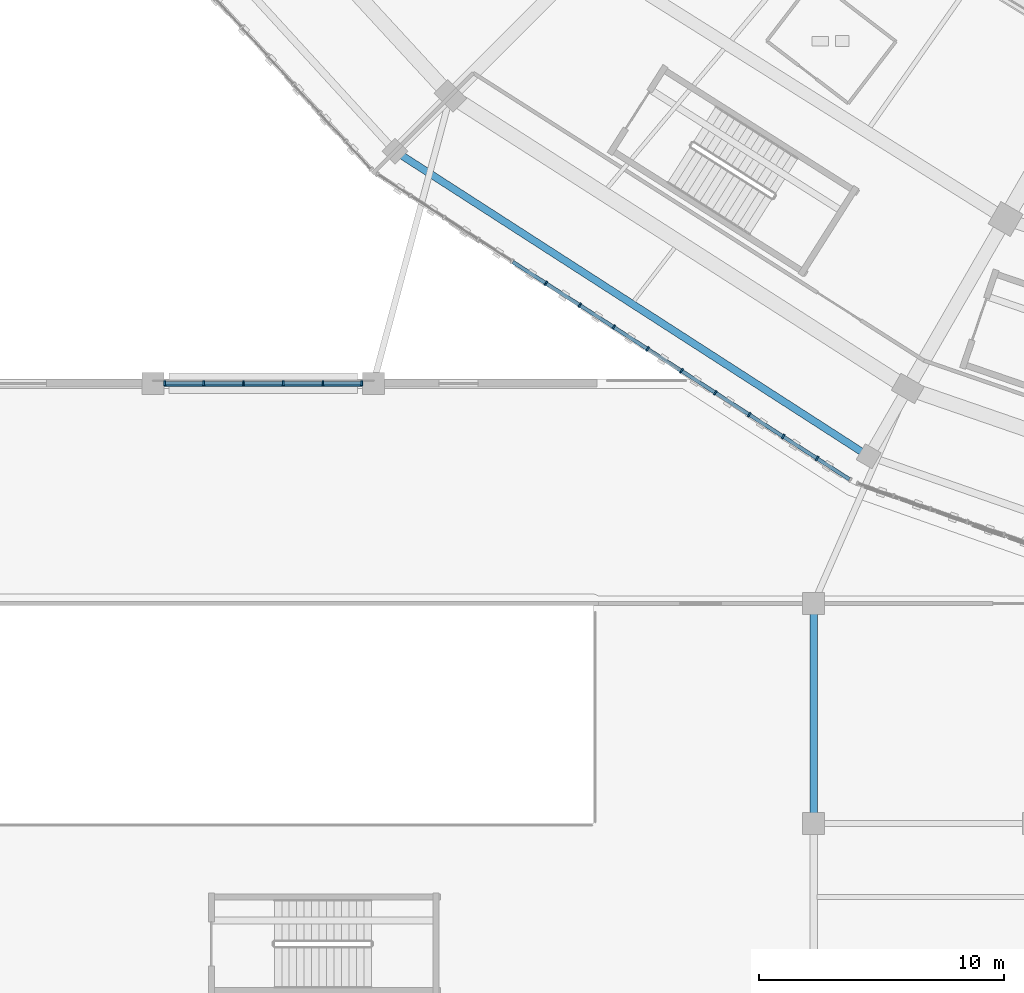
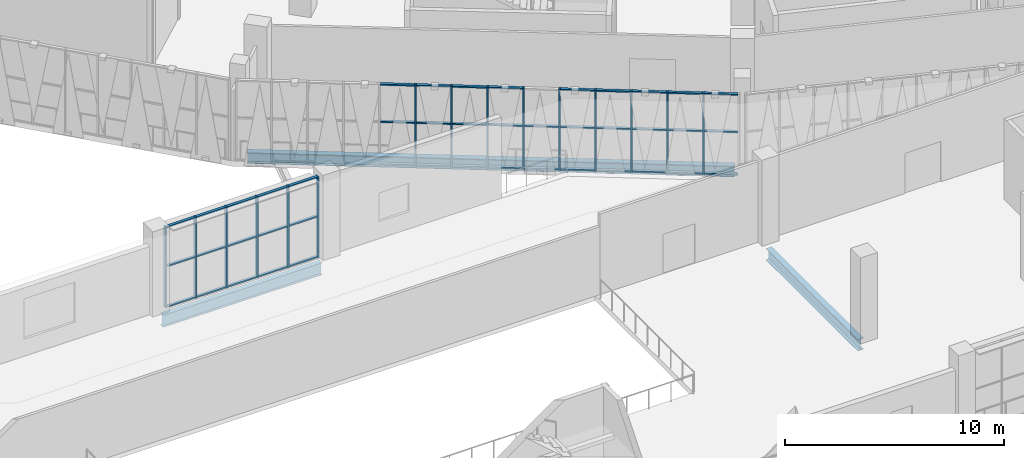
# One storey, part 6 of 183: 59 members, 3 beams, 2 elements without a shape of their own.
"""IFC4 building model written with IfcOpenShell, lengths in metres."""

from ifc_helpers import new_model, si_unit, direction, frame, origin, origin_2d, place, context, subcontext, project, spatial, rectangle, i_section, extrude, material, material_profile, profile_set, type_object, element, aggregate, save


model = new_model("IFC4")

# Units and contexts
model_context = context("Model", 3, precision=1e-05, world=origin(), true_north=direction((0.0, 1.0)))
body_context = subcontext(model_context, "Body", "Model", "MODEL_VIEW")
ifc_project = project(units=[si_unit("LENGTHUNIT", "METRE"), si_unit("AREAUNIT", "SQUARE_METRE"), si_unit("VOLUMEUNIT", "CUBIC_METRE"), si_unit("PLANEANGLEUNIT", "RADIAN"), si_unit("MASSUNIT", "GRAM", prefix="KILO")], contexts=[model_context])

# Site, building, storey
site_placement = place(None, origin())
site = spatial("IfcSite", under=ifc_project, at=site_placement, CompositionType="ELEMENT")
building_placement = place(site_placement, origin())
building = spatial("IfcBuilding", under=site, at=building_placement, Name="Zevraka Park Crest Stadium", CompositionType="ELEMENT")
storey_placement = place(building_placement, frame((0.0, 0.0, 5.39990234375)))
storey = spatial("IfcBuildingStorey", under=building, at=storey_placement, Name="L01", CompositionType="ELEMENT", Elevation=5.39990234375)

# Beams
ifc_material_1 = material(Name="Steel S355", Category="steel")
ifc_material_profile_1 = material_profile(ifc_material_1, i_section(OverallWidth=0.253662109375, OverallDepth=0.68359375, WebThickness=0.012451171875, FlangeThickness=0.01904296875, at=origin_2d()), Name="UKB 686x254x140")
ifc_profile_set_1 = profile_set([ifc_material_profile_1], Name="Steel S355")
beam_type_1 = type_object("IfcBeamType", Name="BG05", PredefinedType="BEAM", material=ifc_profile_set_1)
beam_1_placement = place(storey_placement, frame((36.300048828125, 27.0, -0.649658203125), z_axis=(1.0, 0.0, 0.0), x_axis=(0.0, 1.0, 0.0)))
element("IfcBeam", 1, at=beam_1_placement, inside=storey, type_object=beam_type_1, Name="Wing Girder BG05 L01-56/D", PredefinedType="BEAM", context=body_context, shape_type="SweptSolid", body=[
    extrude(i_section(OverallWidth=0.253662109375, OverallDepth=0.68359375, WebThickness=0.012451171875, FlangeThickness=0.01904296875, at=origin_2d()), origin(), (0.0, 0.0, 1.0), 8.39990234375),
])
ifc_material_2 = material(Name="Steel S355", Category="steel")
ifc_material_profile_2 = material_profile(ifc_material_2, i_section(OverallWidth=0.300048828125, OverallDepth=0.64990234375, WebThickness=0.01611328125, FlangeThickness=0.031005859375, at=origin_2d()), Name="HEB 650")
ifc_profile_set_2 = profile_set([ifc_material_profile_2], Name="Steel S355")
beam_type_2 = type_object("IfcBeamType", Name="BG07", PredefinedType="BEAM", material=ifc_profile_set_2)
beam_2_placement = place(storey_placement, frame((63.0, 9.300048828125, -0.6328125), z_axis=(0.0, 1.0, 0.0), x_axis=(-1.0, 0.0, 0.0)))
element("IfcBeam", 2, at=beam_2_placement, inside=storey, type_object=beam_type_2, Name="Wing Girder BG07 L01-8/BC", PredefinedType="BEAM", context=body_context, shape_type="SweptSolid", body=[
    extrude(i_section(OverallWidth=0.300048828125, OverallDepth=0.64990234375, WebThickness=0.01611328125, FlangeThickness=0.031005859375, at=origin_2d()), origin(), (0.0, 0.0, 1.0), 8.39990234375),
])

# Curtain wall, members
ifc_material_3 = material(Name="Anodised architectural aluminium and laminated safety glass", Category="aluminium")
curtain_wall_type_1 = type_object("IfcCurtainWallType", Name="CW03", PredefinedType="NOTDEFINED", material=ifc_material_3)
curtain_wall_1_placement = place(storey_placement, origin())
curtain_wall_1 = element("IfcCurtainWall", 3, at=curtain_wall_1_placement, inside=storey, type_object=curtain_wall_type_1, Name="Unitised Ring Curtain Wall CW03 L01-15", PredefinedType="NOTDEFINED")
ifc_material_4 = material(Name="Anodised architectural aluminium", Category="aluminium")
ifc_material_profile_3 = material_profile(ifc_material_4, rectangle(XDim=0.199951171875, YDim=0.070068359375, at=origin_2d()), Name="ALU MULLION 200x70")
ifc_profile_set_3 = profile_set([ifc_material_profile_3], Name="Anodised architectural aluminium")
member_type_1 = type_object("IfcMemberType", Name="CM03", PredefinedType="MULLION", material=ifc_profile_set_3)
member_1_placement = place(storey_placement, frame((52.05517578125, 31.089111328125, 0.0), z_axis=(0.0, 0.0, 1.0), x_axis=(0.542570628938, 0.840010186018, 0.0)))
member_1 = element("IfcMember", 4, at=member_1_placement, type_object=member_type_1, Name="CW03 mullion 6", PredefinedType="MULLION", context=body_context, shape_type="SweptSolid", body=[
    extrude(rectangle(XDim=0.199951171875, YDim=0.070068359375, at=origin_2d()), origin(), (0.0, 0.0, 1.0), 4.52001953125),
])
member_2_placement = place(storey_placement, frame((53.44091796875, 30.194091796875, 0.0), z_axis=(0.0, 0.0, 1.0), x_axis=(0.542570628938, 0.840010186018, 0.0)))
member_2 = element("IfcMember", 5, at=member_2_placement, type_object=member_type_1, Name="CW03 mullion 7", PredefinedType="MULLION", context=body_context, shape_type="SweptSolid", body=[
    extrude(rectangle(XDim=0.199951171875, YDim=0.070068359375, at=origin_2d()), origin(), (0.0, 0.0, 1.0), 4.52001953125),
])
member_3_placement = place(storey_placement, frame((54.826416015625, 29.299072265625, 0.0), z_axis=(0.0, 0.0, 1.0), x_axis=(0.542570628938, 0.840010186018, 0.0)))
member_3 = element("IfcMember", 6, at=member_3_placement, type_object=member_type_1, Name="CW03 mullion 8", PredefinedType="MULLION", context=body_context, shape_type="SweptSolid", body=[
    extrude(rectangle(XDim=0.199951171875, YDim=0.070068359375, at=origin_2d()), origin(), (0.0, 0.0, 1.0), 4.52001953125),
])
member_4_placement = place(storey_placement, frame((56.212158203125, 28.404052734375, 0.0), z_axis=(0.0, 0.0, 1.0), x_axis=(0.542570628938, 0.840010186018, 0.0)))
member_4 = element("IfcMember", 7, at=member_4_placement, type_object=member_type_1, Name="CW03 mullion 9", PredefinedType="MULLION", context=body_context, shape_type="SweptSolid", body=[
    extrude(rectangle(XDim=0.199951171875, YDim=0.070068359375, at=origin_2d()), origin(), (0.0, 0.0, 1.0), 4.52001953125),
])
member_5_placement = place(storey_placement, frame((57.597900390625, 27.509033203125, 0.0), z_axis=(0.0, 0.0, 1.0), x_axis=(0.542570628938, 0.840010186018, 0.0)))
member_5 = element("IfcMember", 8, at=member_5_placement, type_object=member_type_1, Name="CW03 mullion 10", PredefinedType="MULLION", context=body_context, shape_type="SweptSolid", body=[
    extrude(rectangle(XDim=0.199951171875, YDim=0.070068359375, at=origin_2d()), origin(), (0.0, 0.0, 1.0), 4.52001953125),
])
member_6_placement = place(storey_placement, frame((58.9833984375, 26.614013671875, 0.0), z_axis=(0.0, 0.0, 1.0), x_axis=(0.542570628938, 0.840010186018, 0.0)))
member_6 = element("IfcMember", 9, at=member_6_placement, type_object=member_type_1, Name="CW03 mullion 11", PredefinedType="MULLION", context=body_context, shape_type="SweptSolid", body=[
    extrude(rectangle(XDim=0.199951171875, YDim=0.070068359375, at=origin_2d()), origin(), (0.0, 0.0, 1.0), 4.52001953125),
])
member_7_placement = place(storey_placement, frame((60.369140625, 25.718994140625, 0.0), z_axis=(0.0, 0.0, 1.0), x_axis=(0.542570628938, 0.840010186018, 0.0)))
member_7 = element("IfcMember", 10, at=member_7_placement, type_object=member_type_1, Name="CW03 mullion 12", PredefinedType="MULLION", context=body_context, shape_type="SweptSolid", body=[
    extrude(rectangle(XDim=0.199951171875, YDim=0.070068359375, at=origin_2d()), origin(), (0.0, 0.0, 1.0), 4.52001953125),
])
member_8_placement = place(storey_placement, frame((61.754638671875, 24.823974609375, 0.0), z_axis=(0.0, 0.0, 1.0), x_axis=(0.542570628938, 0.840010186018, 0.0)))
member_8 = element("IfcMember", 11, at=member_8_placement, type_object=member_type_1, Name="CW03 mullion 13", PredefinedType="MULLION", context=body_context, shape_type="SweptSolid", body=[
    extrude(rectangle(XDim=0.199951171875, YDim=0.070068359375, at=origin_2d()), origin(), (0.0, 0.0, 1.0), 4.52001953125),
])
member_9_placement = place(storey_placement, frame((63.140380859375, 23.928955078125, 0.0), z_axis=(0.0, 0.0, 1.0), x_axis=(0.542570628938, 0.840010186018, 0.0)))
member_9 = element("IfcMember", 12, at=member_9_placement, type_object=member_type_1, Name="CW03 mullion 14", PredefinedType="MULLION", context=body_context, shape_type="SweptSolid", body=[
    extrude(rectangle(XDim=0.199951171875, YDim=0.070068359375, at=origin_2d()), origin(), (0.0, 0.0, 1.0), 4.52001953125),
])

ifc_material_5 = material(Name="Anodised architectural aluminium and laminated safety glass", Category="aluminium")
curtain_wall_type_2 = type_object("IfcCurtainWallType", Name="CW30", PredefinedType="NOTDEFINED", material=ifc_material_5)
curtain_wall_2_placement = place(storey_placement, origin())
curtain_wall_2 = element("IfcCurtainWall", 13, at=curtain_wall_2_placement, inside=storey, type_object=curtain_wall_type_2, Name="Wing Curtain Wall CW30 L01-SW-N-4", PredefinedType="NOTDEFINED")
member_10_placement = place(storey_placement, frame((36.47509765625, 27.0, 0.0), z_axis=(0.0, 0.0, 1.0), x_axis=(0.0, 1.0, 0.0)))
member_10 = element("IfcMember", 14, at=member_10_placement, type_object=member_type_1, Name="CW30 mullion 1", PredefinedType="MULLION", context=body_context, shape_type="SweptSolid", body=[
    extrude(rectangle(XDim=0.199951171875, YDim=0.070068359375, at=origin_2d()), origin(), (0.0, 0.0, 1.0), 4.52001953125),
])
member_11_placement = place(storey_placement, frame((38.06396484375, 27.0, 0.0), z_axis=(0.0, 0.0, 1.0), x_axis=(0.0, 1.0, 0.0)))
member_11 = element("IfcMember", 15, at=member_11_placement, type_object=member_type_1, Name="CW30 mullion 2", PredefinedType="MULLION", context=body_context, shape_type="SweptSolid", body=[
    extrude(rectangle(XDim=0.199951171875, YDim=0.070068359375, at=origin_2d()), origin(), (0.0, 0.0, 1.0), 4.52001953125),
])
member_12_placement = place(storey_placement, frame((39.68798828125, 27.0, 0.0), z_axis=(0.0, 0.0, 1.0), x_axis=(0.0, 1.0, 0.0)))
member_12 = element("IfcMember", 16, at=member_12_placement, type_object=member_type_1, Name="CW30 mullion 3", PredefinedType="MULLION", context=body_context, shape_type="SweptSolid", body=[
    extrude(rectangle(XDim=0.199951171875, YDim=0.070068359375, at=origin_2d()), origin(), (0.0, 0.0, 1.0), 4.52001953125),
])
member_13_placement = place(storey_placement, frame((41.31201171875, 27.0, 0.0), z_axis=(0.0, 0.0, 1.0), x_axis=(0.0, 1.0, 0.0)))
member_13 = element("IfcMember", 17, at=member_13_placement, type_object=member_type_1, Name="CW30 mullion 4", PredefinedType="MULLION", context=body_context, shape_type="SweptSolid", body=[
    extrude(rectangle(XDim=0.199951171875, YDim=0.070068359375, at=origin_2d()), origin(), (0.0, 0.0, 1.0), 4.52001953125),
])
member_14_placement = place(storey_placement, frame((42.93603515625, 27.0, 0.0), z_axis=(0.0, 0.0, 1.0), x_axis=(0.0, 1.0, 0.0)))
member_14 = element("IfcMember", 18, at=member_14_placement, type_object=member_type_1, Name="CW30 mullion 5", PredefinedType="MULLION", context=body_context, shape_type="SweptSolid", body=[
    extrude(rectangle(XDim=0.199951171875, YDim=0.070068359375, at=origin_2d()), origin(), (0.0, 0.0, 1.0), 4.52001953125),
])
member_15_placement = place(storey_placement, frame((44.52490234375, 27.0, 0.0), z_axis=(0.0, 0.0, 1.0), x_axis=(0.0, 1.0, 0.0)))
member_15 = element("IfcMember", 19, at=member_15_placement, type_object=member_type_1, Name="CW30 mullion 6", PredefinedType="MULLION", context=body_context, shape_type="SweptSolid", body=[
    extrude(rectangle(XDim=0.199951171875, YDim=0.070068359375, at=origin_2d()), origin(), (0.0, 0.0, 1.0), 4.52001953125),
])

# Member
ifc_material_6 = material(Name="Anodised architectural aluminium", Category="aluminium")
ifc_material_profile_4 = material_profile(ifc_material_6, rectangle(XDim=0.14990234375, YDim=0.070068359375, at=origin_2d()), Name="ALU TRANSOM 150x70")
ifc_profile_set_4 = profile_set([ifc_material_profile_4], Name="Anodised architectural aluminium")
member_type_2 = type_object("IfcMemberType", Name="CT03", PredefinedType="USERDEFINED", material=ifc_profile_set_4)
member_16_placement = place(storey_placement, frame((50.698974609375, 31.965087890625, 0.03515625), z_axis=(0.839976274256, -0.542623127675, 0.0), x_axis=(0.542623127675, 0.839976274256, 0.0)))
member_16 = element("IfcMember", 20, at=member_16_placement, type_object=member_type_2, Name="CW03 transom 5.1", ObjectType="TRANSOM", PredefinedType="USERDEFINED", context=body_context, shape_type="SweptSolid", body=[
    extrude(rectangle(XDim=0.14990234375, YDim=0.070068359375, at=origin_2d()), origin(), (0.0, 0.0, 1.0), 1.57958984375),
])

member_17_placement = place(storey_placement, frame((50.698974609375, 31.965087890625, 2.400146484375), z_axis=(0.839976274256, -0.542623127675, 0.0), x_axis=(0.542623127675, 0.839976274256, 0.0)))
member_17 = element("IfcMember", 21, at=member_17_placement, type_object=member_type_2, Name="CW03 transom 5.2", ObjectType="TRANSOM", PredefinedType="USERDEFINED", context=body_context, shape_type="SweptSolid", body=[
    extrude(rectangle(XDim=0.14990234375, YDim=0.070068359375, at=origin_2d()), origin(), (0.0, 0.0, 1.0), 1.57958984375),
])

member_18_placement = place(storey_placement, frame((50.698974609375, 31.965087890625, 4.485107421875), z_axis=(0.839976274256, -0.542623127675, 0.0), x_axis=(0.542623127675, 0.839976274256, 0.0)))
member_18 = element("IfcMember", 22, at=member_18_placement, type_object=member_type_2, Name="CW03 transom 5.3", ObjectType="TRANSOM", PredefinedType="USERDEFINED", context=body_context, shape_type="SweptSolid", body=[
    extrude(rectangle(XDim=0.14990234375, YDim=0.070068359375, at=origin_2d()), origin(), (0.0, 0.0, 1.0), 1.57958984375),
])

member_19_placement = place(storey_placement, frame((52.084716796875, 31.070068359375, 0.03515625), z_axis=(0.839930759874, -0.542693577092, 0.0), x_axis=(0.542693577092, 0.839930759874, 0.0)))
member_19 = element("IfcMember", 23, at=member_19_placement, type_object=member_type_2, Name="CW03 transom 6.1", ObjectType="TRANSOM", PredefinedType="USERDEFINED", context=body_context, shape_type="SweptSolid", body=[
    extrude(rectangle(XDim=0.14990234375, YDim=0.070068359375, at=origin_2d()), origin(), (0.0, 0.0, 1.0), 1.57958984375),
])

member_20_placement = place(storey_placement, frame((52.084716796875, 31.070068359375, 2.400146484375), z_axis=(0.839930759874, -0.542693577092, 0.0), x_axis=(0.542693577092, 0.839930759874, 0.0)))
member_20 = element("IfcMember", 24, at=member_20_placement, type_object=member_type_2, Name="CW03 transom 6.2", ObjectType="TRANSOM", PredefinedType="USERDEFINED", context=body_context, shape_type="SweptSolid", body=[
    extrude(rectangle(XDim=0.14990234375, YDim=0.070068359375, at=origin_2d()), origin(), (0.0, 0.0, 1.0), 1.57958984375),
])

member_21_placement = place(storey_placement, frame((52.084716796875, 31.070068359375, 4.485107421875), z_axis=(0.839930759874, -0.542693577092, 0.0), x_axis=(0.542693577092, 0.839930759874, 0.0)))
member_21 = element("IfcMember", 25, at=member_21_placement, type_object=member_type_2, Name="CW03 transom 6.3", ObjectType="TRANSOM", PredefinedType="USERDEFINED", context=body_context, shape_type="SweptSolid", body=[
    extrude(rectangle(XDim=0.14990234375, YDim=0.070068359375, at=origin_2d()), origin(), (0.0, 0.0, 1.0), 1.57958984375),
])

member_22_placement = place(storey_placement, frame((53.47021484375, 30.175048828125, 0.03515625), z_axis=(0.839976274256, -0.542623127675, 0.0), x_axis=(0.542623127675, 0.839976274256, 0.0)))
member_22 = element("IfcMember", 26, at=member_22_placement, type_object=member_type_2, Name="CW03 transom 7.1", ObjectType="TRANSOM", PredefinedType="USERDEFINED", context=body_context, shape_type="SweptSolid", body=[
    extrude(rectangle(XDim=0.14990234375, YDim=0.070068359375, at=origin_2d()), origin(), (0.0, 0.0, 1.0), 1.57958984375),
])

member_23_placement = place(storey_placement, frame((53.47021484375, 30.175048828125, 2.400146484375), z_axis=(0.839976274256, -0.542623127675, 0.0), x_axis=(0.542623127675, 0.839976274256, 0.0)))
member_23 = element("IfcMember", 27, at=member_23_placement, type_object=member_type_2, Name="CW03 transom 7.2", ObjectType="TRANSOM", PredefinedType="USERDEFINED", context=body_context, shape_type="SweptSolid", body=[
    extrude(rectangle(XDim=0.14990234375, YDim=0.070068359375, at=origin_2d()), origin(), (0.0, 0.0, 1.0), 1.57958984375),
])

member_24_placement = place(storey_placement, frame((53.47021484375, 30.175048828125, 4.485107421875), z_axis=(0.839976274256, -0.542623127675, 0.0), x_axis=(0.542623127675, 0.839976274256, 0.0)))
member_24 = element("IfcMember", 28, at=member_24_placement, type_object=member_type_2, Name="CW03 transom 7.3", ObjectType="TRANSOM", PredefinedType="USERDEFINED", context=body_context, shape_type="SweptSolid", body=[
    extrude(rectangle(XDim=0.14990234375, YDim=0.070068359375, at=origin_2d()), origin(), (0.0, 0.0, 1.0), 1.57958984375),
])

member_25_placement = place(storey_placement, frame((54.85595703125, 29.280029296875, 0.03515625), z_axis=(0.840046715264, -0.542514070024, 0.0), x_axis=(0.542514070024, 0.840046715264, 0.0)))
member_25 = element("IfcMember", 29, at=member_25_placement, type_object=member_type_2, Name="CW03 transom 8.1", ObjectType="TRANSOM", PredefinedType="USERDEFINED", context=body_context, shape_type="SweptSolid", body=[
    extrude(rectangle(XDim=0.14990234375, YDim=0.070068359375, at=origin_2d()), origin(), (0.0, 0.0, 1.0), 1.57958984375),
])

member_26_placement = place(storey_placement, frame((54.85595703125, 29.280029296875, 2.400146484375), z_axis=(0.840046715264, -0.542514070024, 0.0), x_axis=(0.542514070024, 0.840046715264, 0.0)))
member_26 = element("IfcMember", 30, at=member_26_placement, type_object=member_type_2, Name="CW03 transom 8.2", ObjectType="TRANSOM", PredefinedType="USERDEFINED", context=body_context, shape_type="SweptSolid", body=[
    extrude(rectangle(XDim=0.14990234375, YDim=0.070068359375, at=origin_2d()), origin(), (0.0, 0.0, 1.0), 1.57958984375),
])

member_27_placement = place(storey_placement, frame((54.85595703125, 29.280029296875, 4.485107421875), z_axis=(0.840046715264, -0.542514070024, 0.0), x_axis=(0.542514070024, 0.840046715264, 0.0)))
member_27 = element("IfcMember", 31, at=member_27_placement, type_object=member_type_2, Name="CW03 transom 8.3", ObjectType="TRANSOM", PredefinedType="USERDEFINED", context=body_context, shape_type="SweptSolid", body=[
    extrude(rectangle(XDim=0.14990234375, YDim=0.070068359375, at=origin_2d()), origin(), (0.0, 0.0, 1.0), 1.57958984375),
])

member_28_placement = place(storey_placement, frame((56.241455078125, 28.385009765625, 0.03515625), z_axis=(0.840046715264, -0.542514070024, 0.0), x_axis=(0.542514070024, 0.840046715264, 0.0)))
member_28 = element("IfcMember", 32, at=member_28_placement, type_object=member_type_2, Name="CW03 transom 9.1", ObjectType="TRANSOM", PredefinedType="USERDEFINED", context=body_context, shape_type="SweptSolid", body=[
    extrude(rectangle(XDim=0.14990234375, YDim=0.070068359375, at=origin_2d()), origin(), (0.0, 0.0, 1.0), 1.57958984375),
])

member_29_placement = place(storey_placement, frame((56.241455078125, 28.385009765625, 2.400146484375), z_axis=(0.840046715264, -0.542514070024, 0.0), x_axis=(0.542514070024, 0.840046715264, 0.0)))
member_29 = element("IfcMember", 33, at=member_29_placement, type_object=member_type_2, Name="CW03 transom 9.2", ObjectType="TRANSOM", PredefinedType="USERDEFINED", context=body_context, shape_type="SweptSolid", body=[
    extrude(rectangle(XDim=0.14990234375, YDim=0.070068359375, at=origin_2d()), origin(), (0.0, 0.0, 1.0), 1.57958984375),
])

member_30_placement = place(storey_placement, frame((57.627197265625, 27.489990234375, 0.03515625), z_axis=(0.840046715264, -0.542514070024, 0.0), x_axis=(0.542514070024, 0.840046715264, 0.0)))
member_30 = element("IfcMember", 34, at=member_30_placement, type_object=member_type_2, Name="CW03 transom 10.1", ObjectType="TRANSOM", PredefinedType="USERDEFINED", context=body_context, shape_type="SweptSolid", body=[
    extrude(rectangle(XDim=0.14990234375, YDim=0.070068359375, at=origin_2d()), origin(), (0.0, 0.0, 1.0), 1.57958984375),
])

member_31_placement = place(storey_placement, frame((57.627197265625, 27.489990234375, 2.400146484375), z_axis=(0.840046715264, -0.542514070024, 0.0), x_axis=(0.542514070024, 0.840046715264, 0.0)))
member_31 = element("IfcMember", 35, at=member_31_placement, type_object=member_type_2, Name="CW03 transom 10.2", ObjectType="TRANSOM", PredefinedType="USERDEFINED", context=body_context, shape_type="SweptSolid", body=[
    extrude(rectangle(XDim=0.14990234375, YDim=0.070068359375, at=origin_2d()), origin(), (0.0, 0.0, 1.0), 1.57958984375),
])

member_32_placement = place(storey_placement, frame((57.627197265625, 27.489990234375, 4.485107421875), z_axis=(0.840046715264, -0.542514070024, 0.0), x_axis=(0.542514070024, 0.840046715264, 0.0)))
member_32 = element("IfcMember", 36, at=member_32_placement, type_object=member_type_2, Name="CW03 transom 10.3", ObjectType="TRANSOM", PredefinedType="USERDEFINED", context=body_context, shape_type="SweptSolid", body=[
    extrude(rectangle(XDim=0.14990234375, YDim=0.070068359375, at=origin_2d()), origin(), (0.0, 0.0, 1.0), 1.57958984375),
])

member_33_placement = place(storey_placement, frame((59.012939453125, 26.594970703125, 0.03515625), z_axis=(0.840001215359, -0.542584517098, 0.0), x_axis=(0.542584517098, 0.840001215359, 0.0)))
member_33 = element("IfcMember", 37, at=member_33_placement, type_object=member_type_2, Name="CW03 transom 11.1", ObjectType="TRANSOM", PredefinedType="USERDEFINED", context=body_context, shape_type="SweptSolid", body=[
    extrude(rectangle(XDim=0.14990234375, YDim=0.070068359375, at=origin_2d()), origin(), (0.0, 0.0, 1.0), 1.579345703125),
])

member_34_placement = place(storey_placement, frame((59.012939453125, 26.594970703125, 2.400146484375), z_axis=(0.840001215359, -0.542584517098, 0.0), x_axis=(0.542584517098, 0.840001215359, 0.0)))
member_34 = element("IfcMember", 38, at=member_34_placement, type_object=member_type_2, Name="CW03 transom 11.2", ObjectType="TRANSOM", PredefinedType="USERDEFINED", context=body_context, shape_type="SweptSolid", body=[
    extrude(rectangle(XDim=0.14990234375, YDim=0.070068359375, at=origin_2d()), origin(), (0.0, 0.0, 1.0), 1.579345703125),
])

member_35_placement = place(storey_placement, frame((59.012939453125, 26.594970703125, 4.485107421875), z_axis=(0.840001215359, -0.542584517098, 0.0), x_axis=(0.542584517098, 0.840001215359, 0.0)))
member_35 = element("IfcMember", 39, at=member_35_placement, type_object=member_type_2, Name="CW03 transom 11.3", ObjectType="TRANSOM", PredefinedType="USERDEFINED", context=body_context, shape_type="SweptSolid", body=[
    extrude(rectangle(XDim=0.14990234375, YDim=0.070068359375, at=origin_2d()), origin(), (0.0, 0.0, 1.0), 1.579345703125),
])

member_36_placement = place(storey_placement, frame((60.3984375, 25.699951171875, 0.03515625), z_axis=(0.840046715264, -0.542514070024, 0.0), x_axis=(0.542514070024, 0.840046715264, 0.0)))
member_36 = element("IfcMember", 40, at=member_36_placement, type_object=member_type_2, Name="CW03 transom 12.1", ObjectType="TRANSOM", PredefinedType="USERDEFINED", context=body_context, shape_type="SweptSolid", body=[
    extrude(rectangle(XDim=0.14990234375, YDim=0.070068359375, at=origin_2d()), origin(), (0.0, 0.0, 1.0), 1.57958984375),
])

member_37_placement = place(storey_placement, frame((60.3984375, 25.699951171875, 2.400146484375), z_axis=(0.840046715264, -0.542514070024, 0.0), x_axis=(0.542514070024, 0.840046715264, 0.0)))
member_37 = element("IfcMember", 41, at=member_37_placement, type_object=member_type_2, Name="CW03 transom 12.2", ObjectType="TRANSOM", PredefinedType="USERDEFINED", context=body_context, shape_type="SweptSolid", body=[
    extrude(rectangle(XDim=0.14990234375, YDim=0.070068359375, at=origin_2d()), origin(), (0.0, 0.0, 1.0), 1.57958984375),
])

member_38_placement = place(storey_placement, frame((60.3984375, 25.699951171875, 4.485107421875), z_axis=(0.840046715264, -0.542514070024, 0.0), x_axis=(0.542514070024, 0.840046715264, 0.0)))
member_38 = element("IfcMember", 42, at=member_38_placement, type_object=member_type_2, Name="CW03 transom 12.3", ObjectType="TRANSOM", PredefinedType="USERDEFINED", context=body_context, shape_type="SweptSolid", body=[
    extrude(rectangle(XDim=0.14990234375, YDim=0.070068359375, at=origin_2d()), origin(), (0.0, 0.0, 1.0), 1.57958984375),
])

member_39_placement = place(storey_placement, frame((61.7841796875, 24.804931640625, 0.03515625), z_axis=(0.840001215359, -0.542584517098, 0.0), x_axis=(0.542584517098, 0.840001215359, 0.0)))
member_39 = element("IfcMember", 43, at=member_39_placement, type_object=member_type_2, Name="CW03 transom 13.1", ObjectType="TRANSOM", PredefinedType="USERDEFINED", context=body_context, shape_type="SweptSolid", body=[
    extrude(rectangle(XDim=0.14990234375, YDim=0.070068359375, at=origin_2d()), origin(), (0.0, 0.0, 1.0), 1.579345703125),
])

member_40_placement = place(storey_placement, frame((61.7841796875, 24.804931640625, 2.400146484375), z_axis=(0.840001215359, -0.542584517098, 0.0), x_axis=(0.542584517098, 0.840001215359, 0.0)))
member_40 = element("IfcMember", 44, at=member_40_placement, type_object=member_type_2, Name="CW03 transom 13.2", ObjectType="TRANSOM", PredefinedType="USERDEFINED", context=body_context, shape_type="SweptSolid", body=[
    extrude(rectangle(XDim=0.14990234375, YDim=0.070068359375, at=origin_2d()), origin(), (0.0, 0.0, 1.0), 1.579345703125),
])

member_41_placement = place(storey_placement, frame((61.7841796875, 24.804931640625, 4.485107421875), z_axis=(0.840001215359, -0.542584517098, 0.0), x_axis=(0.542584517098, 0.840001215359, 0.0)))
member_41 = element("IfcMember", 45, at=member_41_placement, type_object=member_type_2, Name="CW03 transom 13.3", ObjectType="TRANSOM", PredefinedType="USERDEFINED", context=body_context, shape_type="SweptSolid", body=[
    extrude(rectangle(XDim=0.14990234375, YDim=0.070068359375, at=origin_2d()), origin(), (0.0, 0.0, 1.0), 1.579345703125),
])

member_42_placement = place(storey_placement, frame((63.169677734375, 23.909912109375, 0.03515625), z_axis=(0.840082895717, -0.542458042916, 0.0), x_axis=(0.542458042916, 0.840082895717, 0.0)))
member_42 = element("IfcMember", 46, at=member_42_placement, type_object=member_type_2, Name="CW03 transom 14.1", ObjectType="TRANSOM", PredefinedType="USERDEFINED", context=body_context, shape_type="SweptSolid", body=[
    extrude(rectangle(XDim=0.14990234375, YDim=0.070068359375, at=origin_2d()), origin(), (0.0, 0.0, 1.0), 1.544677734375),
])

member_43_placement = place(storey_placement, frame((63.169677734375, 23.909912109375, 2.400146484375), z_axis=(0.840082895717, -0.542458042916, 0.0), x_axis=(0.542458042916, 0.840082895717, 0.0)))
member_43 = element("IfcMember", 47, at=member_43_placement, type_object=member_type_2, Name="CW03 transom 14.2", ObjectType="TRANSOM", PredefinedType="USERDEFINED", context=body_context, shape_type="SweptSolid", body=[
    extrude(rectangle(XDim=0.14990234375, YDim=0.070068359375, at=origin_2d()), origin(), (0.0, 0.0, 1.0), 1.544677734375),
])

member_44_placement = place(storey_placement, frame((63.169677734375, 23.909912109375, 4.485107421875), z_axis=(0.840082895717, -0.542458042916, 0.0), x_axis=(0.542458042916, 0.840082895717, 0.0)))
member_44 = element("IfcMember", 48, at=member_44_placement, type_object=member_type_2, Name="CW03 transom 14.3", ObjectType="TRANSOM", PredefinedType="USERDEFINED", context=body_context, shape_type="SweptSolid", body=[
    extrude(rectangle(XDim=0.14990234375, YDim=0.070068359375, at=origin_2d()), origin(), (0.0, 0.0, 1.0), 1.544677734375),
])

aggregate(curtain_wall_1, [member_1, member_2, member_3, member_4, member_5, member_6, member_7, member_8, member_9, member_16, member_17, member_18, member_19, member_20, member_21, member_22, member_23, member_24, member_25, member_26, member_27, member_28, member_29, member_30, member_31, member_32, member_33, member_34, member_35, member_36, member_37, member_38, member_39, member_40, member_41, member_42, member_43, member_44])

member_45_placement = place(storey_placement, frame((36.510009765625, 27.0, 0.03515625), z_axis=(1.0, 0.0, 0.0), x_axis=(0.0, 1.0, 0.0)))
member_45 = element("IfcMember", 49, at=member_45_placement, type_object=member_type_2, Name="CW30 transom 1.1", ObjectType="TRANSOM", PredefinedType="USERDEFINED", context=body_context, shape_type="SweptSolid", body=[
    extrude(rectangle(XDim=0.14990234375, YDim=0.070068359375, at=origin_2d()), origin(), (0.0, 0.0, 1.0), 1.51904296875),
])

member_46_placement = place(storey_placement, frame((36.510009765625, 27.0, 2.300048828125), z_axis=(1.0, 0.0, 0.0), x_axis=(0.0, 1.0, 0.0)))
member_46 = element("IfcMember", 50, at=member_46_placement, type_object=member_type_2, Name="CW30 transom 1.2", ObjectType="TRANSOM", PredefinedType="USERDEFINED", context=body_context, shape_type="SweptSolid", body=[
    extrude(rectangle(XDim=0.14990234375, YDim=0.070068359375, at=origin_2d()), origin(), (0.0, 0.0, 1.0), 1.51904296875),
])

member_47_placement = place(storey_placement, frame((36.510009765625, 27.0, 4.485107421875), z_axis=(1.0, 0.0, 0.0), x_axis=(0.0, 1.0, 0.0)))
member_47 = element("IfcMember", 51, at=member_47_placement, type_object=member_type_2, Name="CW30 transom 1.3", ObjectType="TRANSOM", PredefinedType="USERDEFINED", context=body_context, shape_type="SweptSolid", body=[
    extrude(rectangle(XDim=0.14990234375, YDim=0.070068359375, at=origin_2d()), origin(), (0.0, 0.0, 1.0), 1.51904296875),
])

member_48_placement = place(storey_placement, frame((38.09912109375, 27.0, 0.03515625), z_axis=(1.0, 0.0, 0.0), x_axis=(0.0, 1.0, 0.0)))
member_48 = element("IfcMember", 52, at=member_48_placement, type_object=member_type_2, Name="CW30 transom 2.1", ObjectType="TRANSOM", PredefinedType="USERDEFINED", context=body_context, shape_type="SweptSolid", body=[
    extrude(rectangle(XDim=0.14990234375, YDim=0.070068359375, at=origin_2d()), origin(), (0.0, 0.0, 1.0), 1.553955078125),
])

member_49_placement = place(storey_placement, frame((38.09912109375, 27.0, 2.300048828125), z_axis=(1.0, 0.0, 0.0), x_axis=(0.0, 1.0, 0.0)))
member_49 = element("IfcMember", 53, at=member_49_placement, type_object=member_type_2, Name="CW30 transom 2.2", ObjectType="TRANSOM", PredefinedType="USERDEFINED", context=body_context, shape_type="SweptSolid", body=[
    extrude(rectangle(XDim=0.14990234375, YDim=0.070068359375, at=origin_2d()), origin(), (0.0, 0.0, 1.0), 1.553955078125),
])

member_50_placement = place(storey_placement, frame((38.09912109375, 27.0, 4.485107421875), z_axis=(1.0, 0.0, 0.0), x_axis=(0.0, 1.0, 0.0)))
member_50 = element("IfcMember", 54, at=member_50_placement, type_object=member_type_2, Name="CW30 transom 2.3", ObjectType="TRANSOM", PredefinedType="USERDEFINED", context=body_context, shape_type="SweptSolid", body=[
    extrude(rectangle(XDim=0.14990234375, YDim=0.070068359375, at=origin_2d()), origin(), (0.0, 0.0, 1.0), 1.553955078125),
])

member_51_placement = place(storey_placement, frame((39.722900390625, 27.0, 0.03515625), z_axis=(1.0, 0.0, 0.0), x_axis=(0.0, 1.0, 0.0)))
member_51 = element("IfcMember", 55, at=member_51_placement, type_object=member_type_2, Name="CW30 transom 3.1", ObjectType="TRANSOM", PredefinedType="USERDEFINED", context=body_context, shape_type="SweptSolid", body=[
    extrude(rectangle(XDim=0.14990234375, YDim=0.070068359375, at=origin_2d()), origin(), (0.0, 0.0, 1.0), 1.55419921875),
])

member_52_placement = place(storey_placement, frame((39.722900390625, 27.0, 2.300048828125), z_axis=(1.0, 0.0, 0.0), x_axis=(0.0, 1.0, 0.0)))
member_52 = element("IfcMember", 56, at=member_52_placement, type_object=member_type_2, Name="CW30 transom 3.2", ObjectType="TRANSOM", PredefinedType="USERDEFINED", context=body_context, shape_type="SweptSolid", body=[
    extrude(rectangle(XDim=0.14990234375, YDim=0.070068359375, at=origin_2d()), origin(), (0.0, 0.0, 1.0), 1.55419921875),
])

member_53_placement = place(storey_placement, frame((39.722900390625, 27.0, 4.485107421875), z_axis=(1.0, 0.0, 0.0), x_axis=(0.0, 1.0, 0.0)))
member_53 = element("IfcMember", 57, at=member_53_placement, type_object=member_type_2, Name="CW30 transom 3.3", ObjectType="TRANSOM", PredefinedType="USERDEFINED", context=body_context, shape_type="SweptSolid", body=[
    extrude(rectangle(XDim=0.14990234375, YDim=0.070068359375, at=origin_2d()), origin(), (0.0, 0.0, 1.0), 1.55419921875),
])

member_54_placement = place(storey_placement, frame((41.346923828125, 27.0, 0.03515625), z_axis=(1.0, 0.0, 0.0), x_axis=(0.0, 1.0, 0.0)))
member_54 = element("IfcMember", 58, at=member_54_placement, type_object=member_type_2, Name="CW30 transom 4.1", ObjectType="TRANSOM", PredefinedType="USERDEFINED", context=body_context, shape_type="SweptSolid", body=[
    extrude(rectangle(XDim=0.14990234375, YDim=0.070068359375, at=origin_2d()), origin(), (0.0, 0.0, 1.0), 1.553955078125),
])

member_55_placement = place(storey_placement, frame((41.346923828125, 27.0, 2.300048828125), z_axis=(1.0, 0.0, 0.0), x_axis=(0.0, 1.0, 0.0)))
member_55 = element("IfcMember", 59, at=member_55_placement, type_object=member_type_2, Name="CW30 transom 4.2", ObjectType="TRANSOM", PredefinedType="USERDEFINED", context=body_context, shape_type="SweptSolid", body=[
    extrude(rectangle(XDim=0.14990234375, YDim=0.070068359375, at=origin_2d()), origin(), (0.0, 0.0, 1.0), 1.553955078125),
])

member_56_placement = place(storey_placement, frame((41.346923828125, 27.0, 4.485107421875), z_axis=(1.0, 0.0, 0.0), x_axis=(0.0, 1.0, 0.0)))
member_56 = element("IfcMember", 60, at=member_56_placement, type_object=member_type_2, Name="CW30 transom 4.3", ObjectType="TRANSOM", PredefinedType="USERDEFINED", context=body_context, shape_type="SweptSolid", body=[
    extrude(rectangle(XDim=0.14990234375, YDim=0.070068359375, at=origin_2d()), origin(), (0.0, 0.0, 1.0), 1.553955078125),
])

member_57_placement = place(storey_placement, frame((42.970947265625, 27.0, 0.03515625), z_axis=(1.0, 0.0, 0.0), x_axis=(0.0, 1.0, 0.0)))
member_57 = element("IfcMember", 61, at=member_57_placement, type_object=member_type_2, Name="CW30 transom 5.1", ObjectType="TRANSOM", PredefinedType="USERDEFINED", context=body_context, shape_type="SweptSolid", body=[
    extrude(rectangle(XDim=0.14990234375, YDim=0.070068359375, at=origin_2d()), origin(), (0.0, 0.0, 1.0), 1.51904296875),
])

member_58_placement = place(storey_placement, frame((42.970947265625, 27.0, 2.300048828125), z_axis=(1.0, 0.0, 0.0), x_axis=(0.0, 1.0, 0.0)))
member_58 = element("IfcMember", 62, at=member_58_placement, type_object=member_type_2, Name="CW30 transom 5.2", ObjectType="TRANSOM", PredefinedType="USERDEFINED", context=body_context, shape_type="SweptSolid", body=[
    extrude(rectangle(XDim=0.14990234375, YDim=0.070068359375, at=origin_2d()), origin(), (0.0, 0.0, 1.0), 1.51904296875),
])

member_59_placement = place(storey_placement, frame((42.970947265625, 27.0, 4.485107421875), z_axis=(1.0, 0.0, 0.0), x_axis=(0.0, 1.0, 0.0)))
member_59 = element("IfcMember", 63, at=member_59_placement, type_object=member_type_2, Name="CW30 transom 5.3", ObjectType="TRANSOM", PredefinedType="USERDEFINED", context=body_context, shape_type="SweptSolid", body=[
    extrude(rectangle(XDim=0.14990234375, YDim=0.070068359375, at=origin_2d()), origin(), (0.0, 0.0, 1.0), 1.51904296875),
])

aggregate(curtain_wall_2, [member_10, member_11, member_12, member_13, member_14, member_15, member_45, member_46, member_47, member_48, member_49, member_50, member_51, member_52, member_53, member_54, member_55, member_56, member_57, member_58, member_59])

# Beam
ifc_material_7 = material(Name="Steel S355", Category="steel")
ifc_material_profile_5 = material_profile(ifc_material_7, i_section(OverallWidth=0.300048828125, OverallDepth=0.60009765625, WebThickness=0.015380859375, FlangeThickness=0.030029296875, at=origin_2d()), Name="HEB 600")
ifc_profile_set_5 = profile_set([ifc_material_profile_5], Name="Steel S355")
beam_type_3 = type_object("IfcBeamType", Name="RB03", PredefinedType="BEAM", material=ifc_profile_set_5)
beam_3_placement = place(storey_placement, frame((46.179931640625, 36.302001953125, -0.60498046875), z_axis=(0.840676981124, -0.541536899396, 0.0), x_axis=(0.541536899396, 0.840676981124, 0.0)))
element("IfcBeam", 64, at=beam_3_placement, inside=storey, type_object=beam_type_3, Name="Ring Beam RB03 L01-E-15", PredefinedType="BEAM", context=body_context, shape_type="SweptSolid", body=[
    extrude(i_section(OverallWidth=0.300048828125, OverallDepth=0.60009765625, WebThickness=0.015380859375, FlangeThickness=0.030029296875, at=origin_2d()), origin(), (0.0, 0.0, 1.0), 22.33447265625),
])

save(model, "model.ifc")
